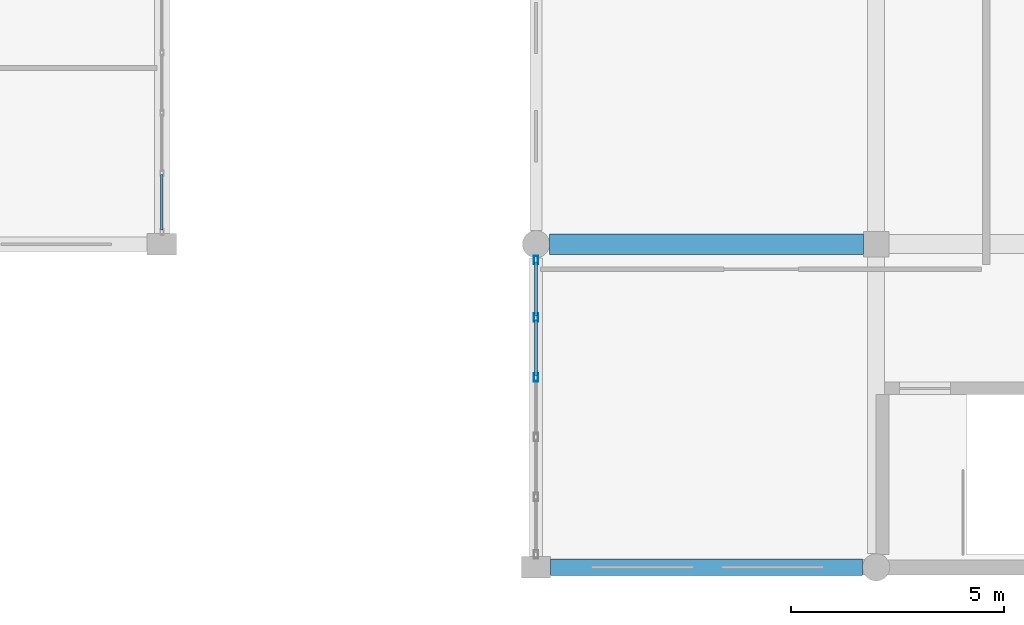
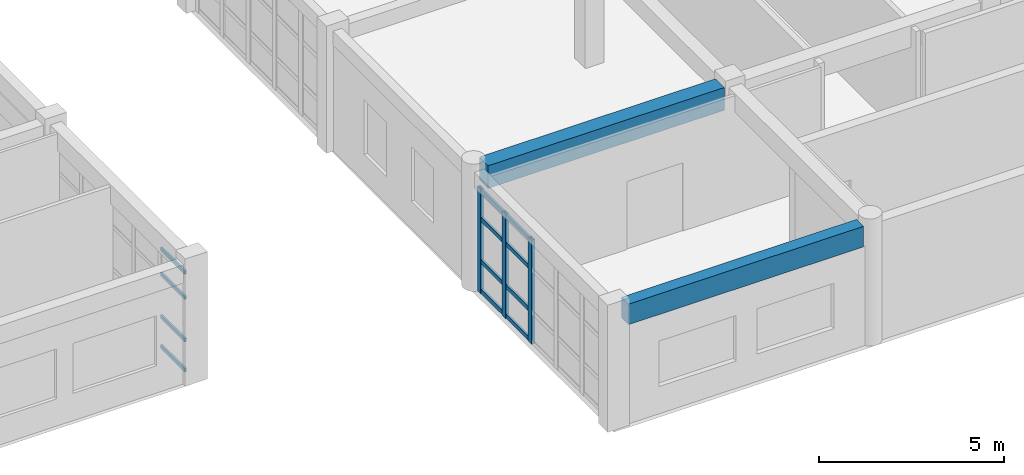
# One storey, part 40 of 121: 15 members, 2 beams, 2 elements without a shape of their own.
"""IFC4 building model written with IfcOpenShell, lengths in metres."""

from ifc_helpers import new_model, si_unit, direction, frame, origin, origin_2d, place, context, subcontext, project, spatial, rectangle, hollow_rectangle, extrude, material, material_profile, profile_set, type_object, element, aggregate, save


model = new_model("IFC4")

# Units and contexts
model_context = context("Model", 3, precision=1e-05, world=origin(), true_north=direction((0.0, 1.0)))
body_context = subcontext(model_context, "Body", "Model", "MODEL_VIEW")
ifc_project = project(units=[si_unit("LENGTHUNIT", "METRE"), si_unit("AREAUNIT", "SQUARE_METRE"), si_unit("VOLUMEUNIT", "CUBIC_METRE"), si_unit("PLANEANGLEUNIT", "RADIAN"), si_unit("MASSUNIT", "GRAM", prefix="KILO")], contexts=[model_context])

# Site, building, storey
site_placement = place(None, origin())
site = spatial("IfcSite", under=ifc_project, at=site_placement, CompositionType="ELEMENT")
building_placement = place(site_placement, origin())
building = spatial("IfcBuilding", under=site, at=building_placement, Name="Kharva Crest Polytechnic", CompositionType="ELEMENT")
storey_placement = place(building_placement, frame((0.0, 0.0, 13.199951171875)))
storey = spatial("IfcBuildingStorey", under=building, at=storey_placement, Name="L03", CompositionType="ELEMENT", Elevation=13.199951171875)

# Beam
ifc_material_1 = material(Name="Concrete C35/45", Category="concrete")
ifc_material_profile_1 = material_profile(ifc_material_1, rectangle(XDim=0.47998046875, YDim=0.75, at=origin_2d()), Name="RECT 480 X 750")
ifc_profile_set_1 = profile_set([ifc_material_profile_1], Name="Concrete C35/45")
beam_type_1 = type_object("IfcBeamType", Name="BM-RC-480X750", PredefinedType="BEAM", material=ifc_profile_set_1)
beam_1_placement = place(storey_placement, frame((121.1201171875, 7.60009765625, 3.5849609375), z_axis=(1.0, 0.0, 0.0), x_axis=(0.0, 1.0, 0.0)))
element("IfcBeam", 1, at=beam_1_placement, inside=storey, type_object=beam_type_1, Name="L03 Beam B/16J-17", PredefinedType="BEAM", context=body_context, shape_type="SweptSolid", body=[
    extrude(rectangle(XDim=0.47998046875, YDim=0.75, at=origin_2d()), origin(), (0.0, 0.0, 1.0), 7.3798828125),
])

# Curtain wall, members
ifc_material_2 = material(Name="Tempered insulated glass", Category="glass")
curtain_wall_type_1 = type_object("IfcCurtainWallType", Name="CW-SYS-REFECTORY", PredefinedType="USERDEFINED", material=ifc_material_2)
curtain_wall_1_placement = place(storey_placement, origin())
curtain_wall_1 = element("IfcCurtainWall", 2, at=curtain_wall_1_placement, inside=storey, type_object=curtain_wall_type_1, Name="L03 Glazed Curtain Wall CW-140", ObjectType="CURTAIN WALL", PredefinedType="USERDEFINED")
ifc_material_3 = material(Name="Steel S355", Category="steel")
ifc_material_profile_2 = material_profile(ifc_material_3, hollow_rectangle(XDim=0.10009765625, YDim=0.199951171875, WallThickness=0.00634765625, at=origin_2d()), Name="RHS 200X100X6.3")
ifc_profile_set_2 = profile_set([ifc_material_profile_2], Name="Steel S355")
member_type_1 = type_object("IfcMemberType", Name="CWM-RHS200X100", PredefinedType="MULLION", material=ifc_profile_set_2)
member_1_placement = place(storey_placement, frame((120.800048828125, 7.22509765625, 0.0), z_axis=(0.0, 0.0, 1.0), x_axis=(1.0, 0.0, 0.0)))
member_1 = element("IfcMember", 3, at=member_1_placement, type_object=member_type_1, Name="CW-140 mullion 1", PredefinedType="MULLION", context=body_context, shape_type="SweptSolid", body=[
    extrude(hollow_rectangle(XDim=0.10009765625, YDim=0.199951171875, WallThickness=0.00634765625, at=origin_2d()), origin(), (0.0, 0.0, 1.0), 3.43994140625),
])
member_2_placement = place(storey_placement, frame((120.800048828125, 5.87109375, 0.0), z_axis=(0.0, 0.0, 1.0), x_axis=(1.0, 0.0, 0.0)))
member_2 = element("IfcMember", 4, at=member_2_placement, type_object=member_type_1, Name="CW-140 mullion 2", PredefinedType="MULLION", context=body_context, shape_type="SweptSolid", body=[
    extrude(hollow_rectangle(XDim=0.10009765625, YDim=0.199951171875, WallThickness=0.00634765625, at=origin_2d()), origin(), (0.0, 0.0, 1.0), 3.43994140625),
])
member_3_placement = place(storey_placement, frame((120.800048828125, 4.467041015625, 0.0), z_axis=(0.0, 0.0, 1.0), x_axis=(1.0, 0.0, 0.0)))
member_3 = element("IfcMember", 5, at=member_3_placement, type_object=member_type_1, Name="CW-140 mullion 3", PredefinedType="MULLION", context=body_context, shape_type="SweptSolid", body=[
    extrude(hollow_rectangle(XDim=0.10009765625, YDim=0.199951171875, WallThickness=0.00634765625, at=origin_2d()), origin(), (0.0, 0.0, 1.0), 3.43994140625),
])

curtain_wall_type_2 = type_object("IfcCurtainWallType", Name="CW-SYS-COURT", PredefinedType="USERDEFINED", material=ifc_material_2)
curtain_wall_2_placement = place(storey_placement, origin())
curtain_wall_2 = element("IfcCurtainWall", 6, at=curtain_wall_2_placement, inside=storey, type_object=curtain_wall_type_2, Name="L03 Glazed Curtain Wall CW-135", ObjectType="CURTAIN WALL", PredefinedType="USERDEFINED")
ifc_material_profile_3 = material_profile(ifc_material_3, hollow_rectangle(XDim=0.06005859375, YDim=0.1201171875, WallThickness=0.00390625, at=origin_2d()), Name="RHS 120X60X4.0")
ifc_profile_set_3 = profile_set([ifc_material_profile_3], Name="Steel S355")
member_type_2 = type_object("IfcMemberType", Name="CWT-RHS120X60", PredefinedType="USERDEFINED", material=ifc_profile_set_3)
member_4_placement = place(storey_placement, frame((112.0, 7.93505859375, 0.06005859375), z_axis=(0.0, 1.0, 0.0), x_axis=(-1.0, 0.0, 0.0)))
member_4 = element("IfcMember", 7, at=member_4_placement, type_object=member_type_2, Name="CW-135 transom 1.1", ObjectType="TRANSOM", PredefinedType="USERDEFINED", context=body_context, shape_type="SweptSolid", body=[
    extrude(hollow_rectangle(XDim=0.06005859375, YDim=0.1201171875, WallThickness=0.00390625, at=origin_2d()), origin(), (0.0, 0.0, 1.0), 1.2978515625),
])
member_5_placement = place(storey_placement, frame((112.0, 7.93505859375, 1.050048828125), z_axis=(0.0, 1.0, 0.0), x_axis=(-1.0, 0.0, 0.0)))
member_5 = element("IfcMember", 8, at=member_5_placement, type_object=member_type_2, Name="CW-135 transom 1.2", ObjectType="TRANSOM", PredefinedType="USERDEFINED", context=body_context, shape_type="SweptSolid", body=[
    extrude(hollow_rectangle(XDim=0.06005859375, YDim=0.1201171875, WallThickness=0.00390625, at=origin_2d()), origin(), (0.0, 0.0, 1.0), 1.2978515625),
])
member_6_placement = place(storey_placement, frame((112.0, 7.93505859375, 2.449951171875), z_axis=(0.0, 1.0, 0.0), x_axis=(-1.0, 0.0, 0.0)))
member_6 = element("IfcMember", 9, at=member_6_placement, type_object=member_type_2, Name="CW-135 transom 1.3", ObjectType="TRANSOM", PredefinedType="USERDEFINED", context=body_context, shape_type="SweptSolid", body=[
    extrude(hollow_rectangle(XDim=0.06005859375, YDim=0.1201171875, WallThickness=0.00390625, at=origin_2d()), origin(), (0.0, 0.0, 1.0), 1.2978515625),
])
member_7_placement = place(storey_placement, frame((112.0, 7.93505859375, 3.280029296875), z_axis=(0.0, 1.0, 0.0), x_axis=(-1.0, 0.0, 0.0)))
member_7 = element("IfcMember", 10, at=member_7_placement, type_object=member_type_2, Name="CW-135 transom 1.4", ObjectType="TRANSOM", PredefinedType="USERDEFINED", context=body_context, shape_type="SweptSolid", body=[
    extrude(hollow_rectangle(XDim=0.06005859375, YDim=0.1201171875, WallThickness=0.00390625, at=origin_2d()), origin(), (0.0, 0.0, 1.0), 1.2978515625),
])
aggregate(curtain_wall_2, [member_4, member_5, member_6, member_7])

# Member
ifc_material_profile_4 = material_profile(ifc_material_3, hollow_rectangle(XDim=0.070068359375, YDim=0.139892578125, WallThickness=0.00390625, at=origin_2d()), Name="RHS 140X70X4.0")
ifc_profile_set_4 = profile_set([ifc_material_profile_4], Name="Steel S355")
member_type_3 = type_object("IfcMemberType", Name="CWT-RHS140X70", PredefinedType="USERDEFINED", material=ifc_profile_set_4)
member_8_placement = place(storey_placement, frame((120.800048828125, 7.175048828125, 0.070068359375), z_axis=(0.0, -1.0, 0.0), x_axis=(1.0, 0.0, 0.0)))
member_8 = element("IfcMember", 11, at=member_8_placement, type_object=member_type_3, Name="CW-140 transom 1.1", ObjectType="TRANSOM", PredefinedType="USERDEFINED", context=body_context, shape_type="SweptSolid", body=[
    extrude(hollow_rectangle(XDim=0.070068359375, YDim=0.139892578125, WallThickness=0.00390625, at=origin_2d()), origin(), (0.0, 0.0, 1.0), 1.254150390625),
])

member_9_placement = place(storey_placement, frame((120.800048828125, 7.175048828125, 1.050048828125), z_axis=(0.0, -1.0, 0.0), x_axis=(1.0, 0.0, 0.0)))
member_9 = element("IfcMember", 12, at=member_9_placement, type_object=member_type_3, Name="CW-140 transom 1.2", ObjectType="TRANSOM", PredefinedType="USERDEFINED", context=body_context, shape_type="SweptSolid", body=[
    extrude(hollow_rectangle(XDim=0.070068359375, YDim=0.139892578125, WallThickness=0.00390625, at=origin_2d()), origin(), (0.0, 0.0, 1.0), 1.254150390625),
])

member_10_placement = place(storey_placement, frame((120.800048828125, 7.175048828125, 2.449951171875), z_axis=(0.0, -1.0, 0.0), x_axis=(1.0, 0.0, 0.0)))
member_10 = element("IfcMember", 13, at=member_10_placement, type_object=member_type_3, Name="CW-140 transom 1.3", ObjectType="TRANSOM", PredefinedType="USERDEFINED", context=body_context, shape_type="SweptSolid", body=[
    extrude(hollow_rectangle(XDim=0.070068359375, YDim=0.139892578125, WallThickness=0.00390625, at=origin_2d()), origin(), (0.0, 0.0, 1.0), 1.254150390625),
])

member_11_placement = place(storey_placement, frame((120.800048828125, 7.175048828125, 3.3701171875), z_axis=(0.0, -1.0, 0.0), x_axis=(1.0, 0.0, 0.0)))
member_11 = element("IfcMember", 14, at=member_11_placement, type_object=member_type_3, Name="CW-140 transom 1.4", ObjectType="TRANSOM", PredefinedType="USERDEFINED", context=body_context, shape_type="SweptSolid", body=[
    extrude(hollow_rectangle(XDim=0.070068359375, YDim=0.139892578125, WallThickness=0.00390625, at=origin_2d()), origin(), (0.0, 0.0, 1.0), 1.254150390625),
])

member_12_placement = place(storey_placement, frame((120.800048828125, 5.821044921875, 0.070068359375), z_axis=(0.0, -1.0, 0.0), x_axis=(1.0, 0.0, 0.0)))
member_12 = element("IfcMember", 15, at=member_12_placement, type_object=member_type_3, Name="CW-140 transom 2.1", ObjectType="TRANSOM", PredefinedType="USERDEFINED", context=body_context, shape_type="SweptSolid", body=[
    extrude(hollow_rectangle(XDim=0.070068359375, YDim=0.139892578125, WallThickness=0.00390625, at=origin_2d()), origin(), (0.0, 0.0, 1.0), 1.303955078125),
])

member_13_placement = place(storey_placement, frame((120.800048828125, 5.821044921875, 1.050048828125), z_axis=(0.0, -1.0, 0.0), x_axis=(1.0, 0.0, 0.0)))
member_13 = element("IfcMember", 16, at=member_13_placement, type_object=member_type_3, Name="CW-140 transom 2.2", ObjectType="TRANSOM", PredefinedType="USERDEFINED", context=body_context, shape_type="SweptSolid", body=[
    extrude(hollow_rectangle(XDim=0.070068359375, YDim=0.139892578125, WallThickness=0.00390625, at=origin_2d()), origin(), (0.0, 0.0, 1.0), 1.303955078125),
])

member_14_placement = place(storey_placement, frame((120.800048828125, 5.821044921875, 2.449951171875), z_axis=(0.0, -1.0, 0.0), x_axis=(1.0, 0.0, 0.0)))
member_14 = element("IfcMember", 17, at=member_14_placement, type_object=member_type_3, Name="CW-140 transom 2.3", ObjectType="TRANSOM", PredefinedType="USERDEFINED", context=body_context, shape_type="SweptSolid", body=[
    extrude(hollow_rectangle(XDim=0.070068359375, YDim=0.139892578125, WallThickness=0.00390625, at=origin_2d()), origin(), (0.0, 0.0, 1.0), 1.303955078125),
])

member_15_placement = place(storey_placement, frame((120.800048828125, 5.821044921875, 3.3701171875), z_axis=(0.0, -1.0, 0.0), x_axis=(1.0, 0.0, 0.0)))
member_15 = element("IfcMember", 18, at=member_15_placement, type_object=member_type_3, Name="CW-140 transom 2.4", ObjectType="TRANSOM", PredefinedType="USERDEFINED", context=body_context, shape_type="SweptSolid", body=[
    extrude(hollow_rectangle(XDim=0.070068359375, YDim=0.139892578125, WallThickness=0.00390625, at=origin_2d()), origin(), (0.0, 0.0, 1.0), 1.303955078125),
])

aggregate(curtain_wall_1, [member_1, member_2, member_3, member_8, member_9, member_10, member_11, member_12, member_13, member_14, member_15])

# Beam
ifc_material_profile_5 = material_profile(ifc_material_1, rectangle(XDim=0.3798828125, YDim=0.679931640625, at=origin_2d()), Name="RECT 380 X 680")
ifc_profile_set_5 = profile_set([ifc_material_profile_5], Name="Concrete C35/45")
beam_type_2 = type_object("IfcBeamType", Name="SP-RC-380X680", PredefinedType="SPANDREL", material=ifc_profile_set_5)
beam_2_placement = place(storey_placement, frame((121.139892578125, 0.0, 3.6201171875), z_axis=(1.0, 0.0, 0.0), x_axis=(0.0, 1.0, 0.0)))
element("IfcBeam", 19, at=beam_2_placement, inside=storey, type_object=beam_type_2, Name="L03 Beam A/16J-17", PredefinedType="SPANDREL", context=body_context, shape_type="SweptSolid", body=[
    extrude(rectangle(XDim=0.3798828125, YDim=0.679931640625, at=origin_2d()), origin(), (0.0, 0.0, 1.0), 7.340087890625),
])

save(model, "model.ifc")
